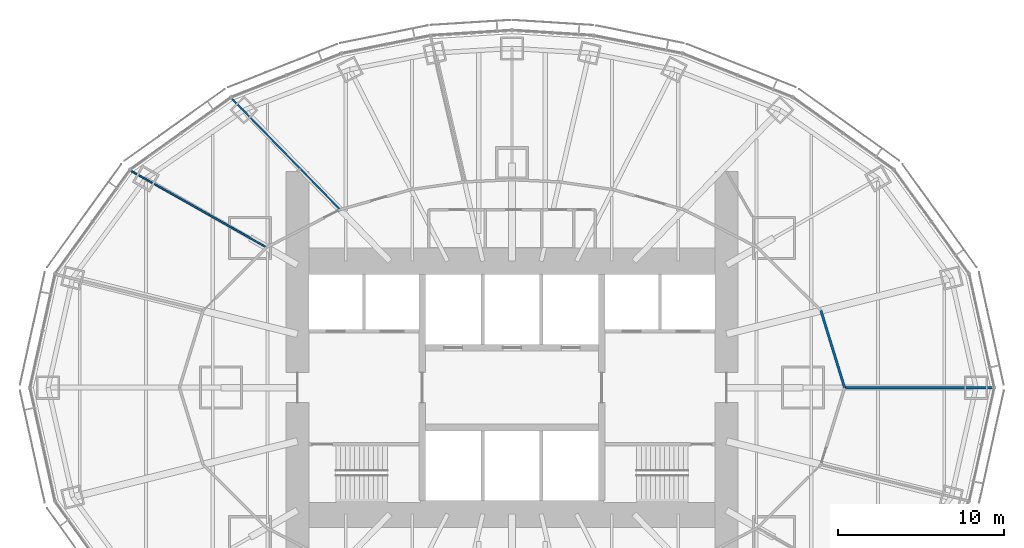
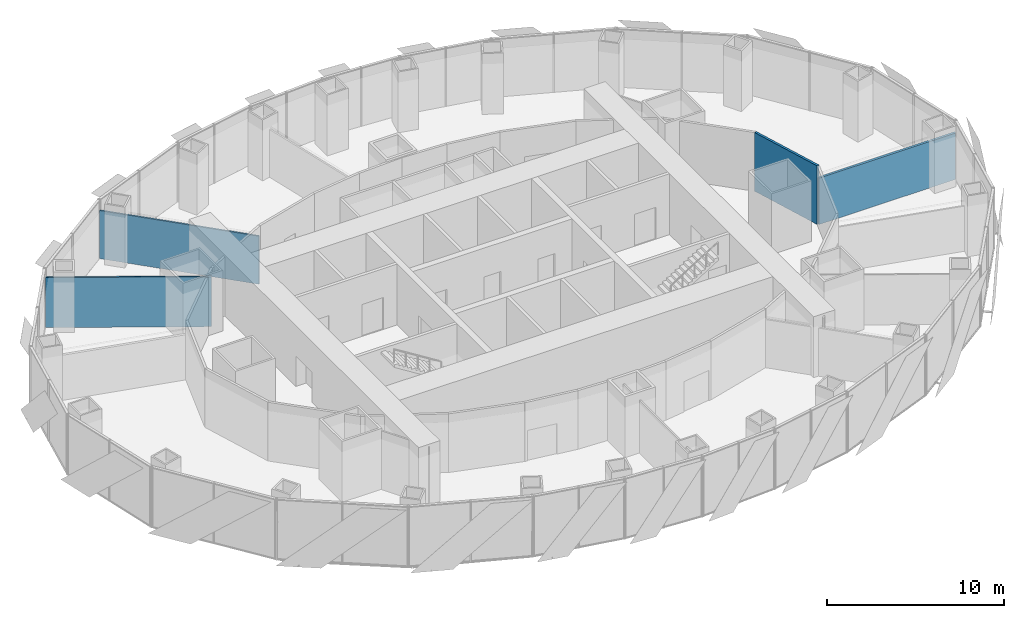
# One storey, part 12 of 18: 4 walls.
"""IFC4 building model written with IfcOpenShell, lengths in metres."""

from ifc_helpers import new_model, si_unit, direction, frame, frame_2d, origin, place, context, subcontext, project, spatial, rectangle, extrude, material, layer, layer_set, type_object, element, save


model = new_model("IFC4")

# Units and contexts
model_context = context("Model", 3, precision=1e-05, world=origin(), true_north=direction((0.0, 1.0)))
body_context = subcontext(model_context, "Body", "Model", "MODEL_VIEW")
ifc_project = project(units=[si_unit("LENGTHUNIT", "METRE"), si_unit("AREAUNIT", "SQUARE_METRE"), si_unit("VOLUMEUNIT", "CUBIC_METRE"), si_unit("PLANEANGLEUNIT", "RADIAN"), si_unit("MASSUNIT", "GRAM", prefix="KILO")], contexts=[model_context])

# Site, building, storey
site_placement = place(None, origin())
site = spatial("IfcSite", under=ifc_project, at=site_placement, CompositionType="ELEMENT")
building_placement = place(site_placement, origin())
building = spatial("IfcBuilding", under=site, at=building_placement, Name="Lantaw Convention Tower", CompositionType="ELEMENT")
storey_placement = place(building_placement, frame((0.0, 0.0, 134.199951171875)))
storey = spatial("IfcBuildingStorey", under=building, at=storey_placement, Name="L31", CompositionType="ELEMENT", Elevation=134.199951171875)

# Walls
ifc_material_1 = material(Name="Gypsum board on steel studs, fire rated", Category="steel")
ifc_layer_1 = layer(ifc_material_1, 0.14990234375)
ifc_layer_set_1 = layer_set([ifc_layer_1], Name="Corridor wall 150 EI 60")
wall_type_1 = type_object("IfcWallType", Name="Corridor wall 150 EI 60", PredefinedType="PARTITIONING", material=ifc_layer_set_1)
wall_1_placement = place(storey_placement, frame((20.0, 0.0, 0.0), z_axis=(0.0, 0.0, 1.0), x_axis=(-0.293799045613, 0.955867208767, 0.0)))
element("IfcWall", 1, at=wall_1_placement, inside=storey, type_object=wall_type_1, Name="Corridor wall 150", PredefinedType="PARTITIONING", context=body_context, shape_type="SweptSolid", body=[
    extrude(rectangle(XDim=4.845458984375, YDim=0.14990234375, at=frame_2d((2.4228515625, 0.0))), origin(), (0.0, 0.0, 1.0), 4.050048828125),
])
ifc_material_2 = material(Name="Gypsum board on steel studs, acoustic", Category="steel")
ifc_layer_2 = layer(ifc_material_2, 0.10009765625)
ifc_layer_set_2 = layer_set([ifc_layer_2], Name="Office partition 100")
wall_type_2 = type_object("IfcWallType", Name="Office partition 100", PredefinedType="PARTITIONING", material=ifc_layer_set_2)
wall_2_placement = place(storey_placement, frame((-16.88232421875, 17.413818359375, 0.0), z_axis=(0.0, 0.0, 1.0), x_axis=(0.698290989425, -0.715814008027, 0.0)))
element("IfcWall", 2, at=wall_2_placement, inside=storey, type_object=wall_type_2, Name="Office partition 100", PredefinedType="PARTITIONING", context=body_context, shape_type="SweptSolid", body=[
    extrude(rectangle(XDim=9.376708984375, YDim=0.10009765625, at=frame_2d((4.6884765625, 0.0))), origin(), (0.0, 0.0, 1.0), 3.321044921875),
])
wall_3_placement = place(storey_placement, frame((-22.948974609375, 13.05908203125, 0.0), z_axis=(0.0, 0.0, 1.0), x_axis=(0.870733950517, -0.491754397456, 0.0)))
element("IfcWall", 3, at=wall_3_placement, inside=storey, type_object=wall_type_2, Name="Office partition 100", PredefinedType="PARTITIONING", context=body_context, shape_type="SweptSolid", body=[
    extrude(rectangle(XDim=9.404052734375, YDim=0.10009765625, at=frame_2d((4.7021484375, 0.0))), origin(), (0.0, 0.0, 1.0), 3.45068359375),
])
ifc_layer_3 = layer(ifc_material_1, 0.14990234375)
ifc_layer_set_3 = layer_set([ifc_layer_3], Name="Tenant separation wall 150 EI 60")
wall_type_3 = type_object("IfcWallType", Name="Tenant separation wall 150 EI 60", PredefinedType="PARTITIONING", material=ifc_layer_set_3)
wall_4_placement = place(storey_placement, frame((28.944091796875, 0.0, 0.0), z_axis=(0.0, 0.0, 1.0), x_axis=(-1.0, 0.0, 0.0)))
element("IfcWall", 4, at=wall_4_placement, inside=storey, type_object=wall_type_3, Name="Tenant separation wall 150", PredefinedType="PARTITIONING", context=body_context, shape_type="SweptSolid", body=[
    extrude(rectangle(XDim=8.944091796875, YDim=0.14990234375, at=frame_2d((4.47216796875, 0.0))), origin(), (0.0, 0.0, 1.0), 3.204345703125),
])

save(model, "model.ifc")
